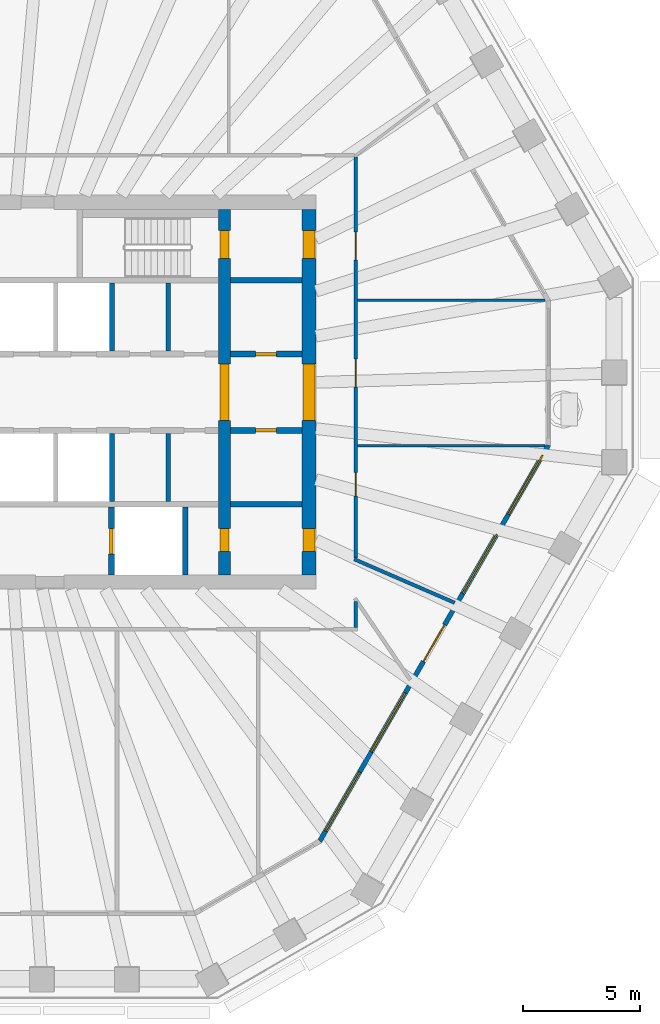
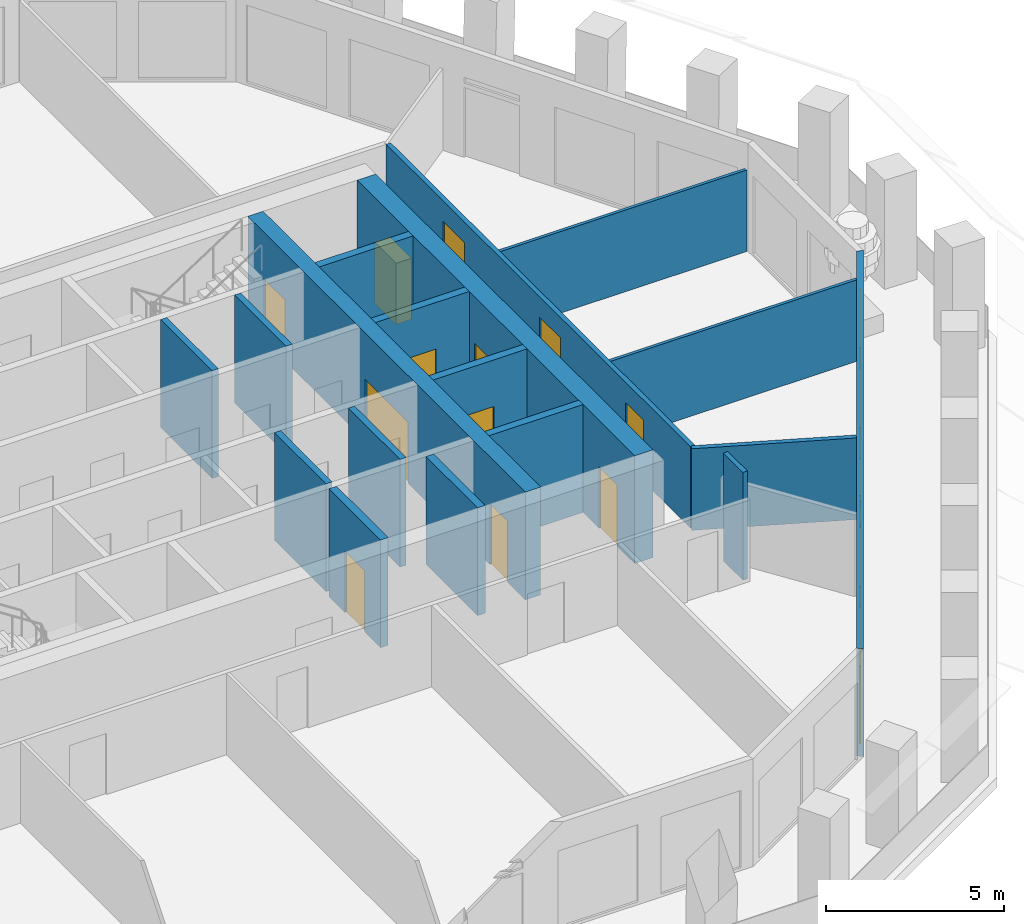
# One storey, part 6 of 12: 18 walls, 13 doors, 5 windows, 18 openings.
"""IFC4 building model written with IfcOpenShell, lengths in metres."""

from ifc_helpers import new_model, si_unit, direction, frame, frame_2d, origin, place, context, subcontext, project, spatial, polyline, rectangle, outline, extrude, material, layer, layer_set, type_object, element, fill, save


model = new_model("IFC4")

# Units and contexts
model_context = context("Model", 3, precision=1e-05, world=origin(), true_north=direction((0.0, 1.0)))
body_context = subcontext(model_context, "Body", "Model", "MODEL_VIEW")
ifc_project = project(units=[si_unit("LENGTHUNIT", "METRE"), si_unit("AREAUNIT", "SQUARE_METRE"), si_unit("VOLUMEUNIT", "CUBIC_METRE"), si_unit("PLANEANGLEUNIT", "RADIAN"), si_unit("MASSUNIT", "GRAM", prefix="KILO")], contexts=[model_context])

# Site, building, storey
site_placement = place(None, origin())
site = spatial("IfcSite", under=ifc_project, at=site_placement, CompositionType="ELEMENT")
building_placement = place(site_placement, origin())
building = spatial("IfcBuilding", under=site, at=building_placement, Name="Frailejon Research Tower", CompositionType="ELEMENT")
storey_placement = place(building_placement, frame((0.0, 0.0, 237.39990234375)))
storey = spatial("IfcBuildingStorey", under=building, at=storey_placement, Name="L51", CompositionType="ELEMENT", Elevation=237.39990234375)

# Wall, openings, doors
ifc_material_1 = material(Name="Concrete C60/75", Category="concrete")
ifc_layer_1 = layer(ifc_material_1, 0.5)
ifc_layer_set_1 = layer_set([ifc_layer_1], Name="Core shear wall 500 C60/75")
wall_type_1 = type_object("IfcWallType", Name="Core shear wall 500 C60/75", PredefinedType="SHEAR", material=ifc_layer_set_1)
wall_1_placement = place(storey_placement, frame((9.60009765625, -7.800048828125, 0.0), z_axis=(0.0, 0.0, 1.0), x_axis=(0.0, 1.0, 0.0)))
wall_1 = element("IfcWall", 1, at=wall_1_placement, inside=storey, type_object=wall_type_1, Name="Core shear wall", PredefinedType="SHEAR", context=body_context, shape_type="SweptSolid", body=[
    extrude(rectangle(XDim=15.60009765625, YDim=0.5, at=frame_2d((7.800048828125, 0.0))), origin(), (0.0, 0.0, 1.0), 3.7001953125),
])
opening_1_placement = place(wall_1_placement, frame((6.60009765625, 0.0, 0.0)))
opening_1 = element("IfcOpeningElement", 2, at=opening_1_placement, cuts=wall_1, Name="Opening D2", PredefinedType="OPENING", context=body_context, shape_type="SweptSolid", body=[
    extrude(rectangle(XDim=2.39990234375, YDim=2.10009765625, at=frame_2d((1.199951171875, 1.050048828125))), frame((0.0, 0.260009765625, 0.0), z_axis=(0.0, -1.0, 0.0), x_axis=(1.0, 0.0, 0.0)), (0.0, 0.0, 1.0), 0.52001953125),
])
opening_2_placement = place(wall_1_placement, frame((13.5, 0.0, 0.0)))
opening_2 = element("IfcOpeningElement", 3, at=opening_2_placement, cuts=wall_1, Name="Opening D1", PredefinedType="OPENING", context=body_context, shape_type="SweptSolid", body=[
    extrude(rectangle(XDim=1.199951171875, YDim=2.10009765625, at=frame_2d((0.60009765625, 1.050048828125))), frame((0.0, 0.260009765625, 0.0), z_axis=(0.0, -1.0, 0.0), x_axis=(1.0, 0.0, 0.0)), (0.0, 0.0, 1.0), 0.52001953125),
])
opening_3_placement = place(wall_1_placement, frame((1.0, 0.0, 0.0)))
opening_3 = element("IfcOpeningElement", 4, at=opening_3_placement, cuts=wall_1, Name="Opening D4", PredefinedType="OPENING", context=body_context, shape_type="SweptSolid", body=[
    extrude(rectangle(XDim=1.0, YDim=2.10009765625, at=frame_2d((0.5, 1.050048828125))), frame((0.0, 0.260009765625, 0.0), z_axis=(0.0, -1.0, 0.0), x_axis=(1.0, 0.0, 0.0)), (0.0, 0.0, 1.0), 0.52001953125),
])
ifc_material_2 = material(Name="Steel", Category="steel")
door_type_1 = type_object("IfcDoorType", Name="Lobby double door", OperationType="DOUBLE_DOOR_SINGLE_SWING", PredefinedType="DOOR", material=ifc_material_2)
door_1_placement = place(opening_1_placement, origin())
door_1 = element("IfcDoor", 5, at=door_1_placement, inside=storey, type_object=door_type_1, Name="Lobby door", OperationType="DOUBLE_DOOR_SINGLE_SWING", OverallHeight=2.10009765625, OverallWidth=2.39990234375, PredefinedType="DOOR", context=body_context, shape_type="SweptSolid", body=[
    extrude(rectangle(XDim=2.39990234375, YDim=2.10009765625, at=frame_2d((1.199951171875, 1.050048828125))), frame((0.0, 0.199951171875, 0.0), z_axis=(0.0, -1.0, 0.0), x_axis=(1.0, 0.0, 0.0)), (0.0, 0.0, 1.0), 0.39990234375),
])
fill(opening_1, door_1)
ifc_material_3 = material(Name="Steel", Category="steel")
door_type_2 = type_object("IfcDoorType", Name="Service door", OperationType="SINGLE_SWING_LEFT", PredefinedType="DOOR", material=ifc_material_3)
door_2_placement = place(opening_3_placement, origin())
door_2 = element("IfcDoor", 6, at=door_2_placement, inside=storey, type_object=door_type_2, Name="Riser door", OperationType="SINGLE_SWING_RIGHT", OverallHeight=2.10009765625, OverallWidth=1.0, PredefinedType="DOOR", context=body_context, shape_type="SweptSolid", body=[
    extrude(rectangle(XDim=1.0, YDim=2.10009765625, at=frame_2d((0.5, 1.050048828125))), frame((0.0, 0.199951171875, 0.0), z_axis=(0.0, -1.0, 0.0), x_axis=(1.0, 0.0, 0.0)), (0.0, 0.0, 1.0), 0.39990234375),
])
fill(opening_3, door_2)
ifc_material_4 = material(Name="Steel", Category="steel")
door_type_3 = type_object("IfcDoorType", Name="Stair door", OperationType="SINGLE_SWING_LEFT", PredefinedType="DOOR", material=ifc_material_4)
door_3_placement = place(opening_2_placement, origin())
door_3 = element("IfcDoor", 7, at=door_3_placement, inside=storey, type_object=door_type_3, Name="Stair door ST3", OperationType="SINGLE_SWING_RIGHT", OverallHeight=2.10009765625, OverallWidth=1.199951171875, PredefinedType="DOOR", context=body_context, shape_type="SweptSolid", body=[
    extrude(rectangle(XDim=1.199951171875, YDim=2.10009765625, at=frame_2d((0.60009765625, 1.050048828125))), frame((0.0, 0.199951171875, 0.0), z_axis=(0.0, -1.0, 0.0), x_axis=(1.0, 0.0, 0.0)), (0.0, 0.0, 1.0), 0.39990234375),
])
fill(opening_2, door_3)

ifc_material_5 = material(Name="Concrete C60/75", Category="concrete")
ifc_layer_2 = layer(ifc_material_5, 0.60009765625)
ifc_layer_set_2 = layer_set([ifc_layer_2], Name="Core shear wall 600 C60/75")
wall_type_2 = type_object("IfcWallType", Name="Core shear wall 600 C60/75", PredefinedType="SHEAR", material=ifc_layer_set_2)
wall_2_placement = place(storey_placement, frame((13.199951171875, -7.800048828125, 0.0), z_axis=(0.0, 0.0, 1.0), x_axis=(0.0, 1.0, 0.0)))
wall_2 = element("IfcWall", 8, at=wall_2_placement, inside=storey, type_object=wall_type_2, Name="Core shear wall", PredefinedType="SHEAR", context=body_context, shape_type="SweptSolid", body=[
    extrude(rectangle(XDim=15.60009765625, YDim=0.60009765625, at=frame_2d((7.800048828125, 0.0))), origin(), (0.0, 0.0, 1.0), 3.7001953125),
])
opening_4_placement = place(wall_2_placement, frame((6.60009765625, 0.0, 0.0)))
opening_4 = element("IfcOpeningElement", 9, at=opening_4_placement, cuts=wall_2, Name="Opening D2", PredefinedType="OPENING", context=body_context, shape_type="SweptSolid", body=[
    extrude(rectangle(XDim=2.39990234375, YDim=2.10009765625, at=frame_2d((1.199951171875, 1.050048828125))), frame((0.0, 0.31005859375, 0.0), z_axis=(0.0, -1.0, 0.0), x_axis=(1.0, 0.0, 0.0)), (0.0, 0.0, 1.0), 0.6201171875),
])
opening_5_placement = place(wall_2_placement, frame((13.5, 0.0, 0.0)))
opening_5 = element("IfcOpeningElement", 10, at=opening_5_placement, cuts=wall_2, Name="Opening D7", PredefinedType="OPENING", context=body_context, shape_type="SweptSolid", body=[
    extrude(rectangle(XDim=1.199951171875, YDim=2.10009765625, at=frame_2d((0.60009765625, 1.050048828125))), frame((0.0, 0.31005859375, 0.0), z_axis=(0.0, -1.0, 0.0), x_axis=(1.0, 0.0, 0.0)), (0.0, 0.0, 1.0), 0.6201171875),
])
opening_6_placement = place(wall_2_placement, frame((1.0, 0.0, 0.0)))
opening_6 = element("IfcOpeningElement", 11, at=opening_6_placement, cuts=wall_2, Name="Opening D4", PredefinedType="OPENING", context=body_context, shape_type="SweptSolid", body=[
    extrude(rectangle(XDim=1.0, YDim=2.10009765625, at=frame_2d((0.5, 1.050048828125))), frame((0.0, 0.31005859375, 0.0), z_axis=(0.0, -1.0, 0.0), x_axis=(1.0, 0.0, 0.0)), (0.0, 0.0, 1.0), 0.6201171875),
])
door_4_placement = place(opening_4_placement, origin())
door_4 = element("IfcDoor", 12, at=door_4_placement, inside=storey, type_object=door_type_1, Name="Lobby door", OperationType="DOUBLE_DOOR_SINGLE_SWING", OverallHeight=2.10009765625, OverallWidth=2.39990234375, PredefinedType="DOOR", context=body_context, shape_type="SweptSolid", body=[
    extrude(rectangle(XDim=2.39990234375, YDim=2.10009765625, at=frame_2d((1.199951171875, 1.050048828125))), frame((0.0, 0.25, 0.0), z_axis=(0.0, -1.0, 0.0), x_axis=(1.0, 0.0, 0.0)), (0.0, 0.0, 1.0), 0.5),
])
fill(opening_4, door_4)
door_5_placement = place(opening_6_placement, origin())
door_5 = element("IfcDoor", 13, at=door_5_placement, inside=storey, type_object=door_type_2, Name="Store door", OperationType="SINGLE_SWING_LEFT", OverallHeight=2.10009765625, OverallWidth=1.0, PredefinedType="DOOR", context=body_context, shape_type="SweptSolid", body=[
    extrude(rectangle(XDim=1.0, YDim=2.10009765625, at=frame_2d((0.5, 1.050048828125))), frame((0.0, 0.25, 0.0), z_axis=(0.0, -1.0, 0.0), x_axis=(1.0, 0.0, 0.0)), (0.0, 0.0, 1.0), 0.5),
])
fill(opening_6, door_5)
ifc_material_6 = material(Name="Steel", Category="steel")
door_type_4 = type_object("IfcDoorType", Name="Stair exit door", OperationType="SINGLE_SWING_LEFT", PredefinedType="DOOR", material=ifc_material_6)
door_6_placement = place(opening_5_placement, origin())
door_6 = element("IfcDoor", 14, at=door_6_placement, inside=storey, type_object=door_type_4, Name="Stair exit door ST3", OperationType="SINGLE_SWING_LEFT", OverallHeight=2.10009765625, OverallWidth=1.199951171875, PredefinedType="DOOR", context=body_context, shape_type="SweptSolid", body=[
    extrude(rectangle(XDim=1.199951171875, YDim=2.10009765625, at=frame_2d((0.60009765625, 1.050048828125))), frame((0.0, 0.25, 0.0), z_axis=(0.0, -1.0, 0.0), x_axis=(1.0, 0.0, 0.0)), (0.0, 0.0, 1.0), 0.5),
])
fill(opening_5, door_6)

# Wall
ifc_material_7 = material(Name="Gypsum board and masonry partition", Category="masonry")
ifc_layer_3 = layer(ifc_material_7, 0.14990234375)
ifc_layer_set_3 = layer_set([ifc_layer_3], Name="Corridor wall EI 60, gypsum on steel studs 150")
wall_type_3 = type_object("IfcWallType", Name="Corridor wall EI 60, gypsum on steel studs 150", PredefinedType="PARTITIONING", material=ifc_layer_set_3)
wall_3_placement = place(storey_placement, frame((15.199951171875, -10.02490234375, 0.0), z_axis=(0.0, 0.0, 1.0), x_axis=(0.0, 1.0, 0.0)))
element("IfcWall", 15, at=wall_3_placement, inside=storey, type_object=wall_type_3, Name="T:IW:L51:003", PredefinedType="PARTITIONING", context=body_context, shape_type="SweptSolid", body=[
    extrude(rectangle(XDim=1.099853515625, YDim=0.14990234375, at=frame_2d((0.5498046875, 0.0))), origin(), (0.0, 0.0, 1.0), 3.7001953125),
])

# Wall, openings, doors
wall_4_placement = place(storey_placement, frame((15.199951171875, -7.074951171875, 0.0), z_axis=(0.0, 0.0, 1.0), x_axis=(0.0, 1.0, 0.0)))
wall_4 = element("IfcWall", 16, at=wall_4_placement, inside=storey, type_object=wall_type_3, Name="T:IW:L51:004", PredefinedType="PARTITIONING", context=body_context, shape_type="SweptSolid", body=[
    extrude(rectangle(XDim=17.099853515625, YDim=0.14990234375, at=frame_2d((8.5498046875, 0.0))), origin(), (0.0, 0.0, 1.0), 2.800048828125),
])
opening_7_placement = place(wall_4_placement, frame((7.2919921875, 0.0, 0.0)))
opening_7 = element("IfcOpeningElement", 17, at=opening_7_placement, cuts=wall_4, Name="Opening D2006", PredefinedType="OPENING", context=body_context, shape_type="SweptSolid", body=[
    extrude(rectangle(XDim=1.199951171875, YDim=2.10009765625, at=frame_2d((0.60009765625, 1.050048828125))), frame((0.0, 0.0849609375, 0.0), z_axis=(0.0, -1.0, 0.0), x_axis=(1.0, 0.0, 0.0)), (0.0, 0.0, 1.0), 0.169921875),
])
opening_8_placement = place(wall_4_placement, frame((12.70703125, 0.0, 0.0)))
opening_8 = element("IfcOpeningElement", 18, at=opening_8_placement, cuts=wall_4, Name="Opening D2007", PredefinedType="OPENING", context=body_context, shape_type="SweptSolid", body=[
    extrude(rectangle(XDim=1.199951171875, YDim=2.10009765625, at=frame_2d((0.60009765625, 1.050048828125))), frame((0.0, 0.0849609375, 0.0), z_axis=(0.0, -1.0, 0.0), x_axis=(1.0, 0.0, 0.0)), (0.0, 0.0, 1.0), 0.169921875),
])
opening_9_placement = place(wall_4_placement, frame((2.64794921875, 0.0, 0.0)))
opening_9 = element("IfcOpeningElement", 19, at=opening_9_placement, cuts=wall_4, Name="Opening D2020", PredefinedType="OPENING", context=body_context, shape_type="SweptSolid", body=[
    extrude(rectangle(XDim=1.0, YDim=2.10009765625, at=frame_2d((0.5, 1.050048828125))), frame((0.0, 0.0849609375, 0.0), z_axis=(0.0, -1.0, 0.0), x_axis=(1.0, 0.0, 0.0)), (0.0, 0.0, 1.0), 0.169921875),
])
ifc_material_8 = material(Name="Timber door leaf", Category="wood")
door_type_5 = type_object("IfcDoorType", Name="Door single leaf, timber, steel frame 1000", OperationType="NOTDEFINED", PredefinedType="DOOR", material=ifc_material_8)
door_7_placement = place(opening_9_placement, origin())
door_7 = element("IfcDoor", 20, at=door_7_placement, inside=storey, type_object=door_type_5, Name="D2020", OperationType="SINGLE_SWING_RIGHT", OverallHeight=2.10009765625, OverallWidth=1.0, PredefinedType="DOOR", context=body_context, shape_type="SweptSolid", body=[
    extrude(rectangle(XDim=1.0, YDim=2.10009765625, at=frame_2d((0.5, 1.050048828125))), frame((0.0, 0.02490234375, 0.0), z_axis=(0.0, -1.0, 0.0), x_axis=(1.0, 0.0, 0.0)), (0.0, 0.0, 1.0), 0.050048828125),
])
fill(opening_9, door_7)
ifc_material_9 = material(Name="Timber door leaf", Category="wood")
door_type_6 = type_object("IfcDoorType", Name="Door single leaf, timber, steel frame 1200", OperationType="NOTDEFINED", PredefinedType="DOOR", material=ifc_material_9)
door_8_placement = place(opening_7_placement, origin())
door_8 = element("IfcDoor", 21, at=door_8_placement, inside=storey, type_object=door_type_6, Name="D2006", OperationType="DOUBLE_DOOR_SINGLE_SWING", OverallHeight=2.10009765625, OverallWidth=1.199951171875, PredefinedType="DOOR", context=body_context, shape_type="SweptSolid", body=[
    extrude(rectangle(XDim=1.199951171875, YDim=2.10009765625, at=frame_2d((0.60009765625, 1.050048828125))), frame((0.0, 0.02490234375, 0.0), z_axis=(0.0, -1.0, 0.0), x_axis=(1.0, 0.0, 0.0)), (0.0, 0.0, 1.0), 0.050048828125),
])
fill(opening_7, door_8)
door_9_placement = place(opening_8_placement, origin())
door_9 = element("IfcDoor", 22, at=door_9_placement, inside=storey, type_object=door_type_6, Name="D2007", OperationType="DOUBLE_DOOR_SINGLE_SWING", OverallHeight=2.10009765625, OverallWidth=1.199951171875, PredefinedType="DOOR", context=body_context, shape_type="SweptSolid", body=[
    extrude(rectangle(XDim=1.199951171875, YDim=2.10009765625, at=frame_2d((0.60009765625, 1.050048828125))), frame((0.0, 0.02490234375, 0.0), z_axis=(0.0, -1.0, 0.0), x_axis=(1.0, 0.0, 0.0)), (0.0, 0.0, 1.0), 0.050048828125),
])
fill(opening_8, door_9)

# Walls
wall_5_placement = place(storey_placement, frame((15.131103515625, -7.1201171875, 0.0), z_axis=(0.0, 0.0, 1.0), x_axis=(0.917412410679, -0.397937769924, 0.0)))
element("IfcWall", 23, at=wall_5_placement, inside=storey, type_object=wall_type_3, Name="T:IW:L51:010", PredefinedType="PARTITIONING", context=body_context, shape_type="SweptSolid", body=[
    extrude(rectangle(XDim=4.66650390625, YDim=0.14990234375, at=frame_2d((2.333251953125, 0.0))), origin(), (0.0, 0.0, 1.0), 2.800048828125),
])
ifc_material_10 = material(Name="Gypsum board and masonry partition", Category="masonry")
ifc_layer_4 = layer(ifc_material_10, 0.10009765625)
ifc_layer_set_4 = layer_set([ifc_layer_4], Name="Partition, gypsum on steel studs 100")
wall_type_4 = type_object("IfcWallType", Name="Partition, gypsum on steel studs 100", PredefinedType="PARTITIONING", material=ifc_layer_set_4)
for number, where, z_axis, x_axis, name in (
    (24, (15.27490234375, 3.92041015625, 0.0), (0.0, 0.0, 1.0), (1.0, 0.0, 0.0), "T:IW:L51:014"),
    (25, (15.27490234375, -2.2861328125, 0.0), (0.0, 0.0, 1.0), (1.0, 0.0, 0.0), "T:IW:L51:015"),
):
    element("IfcWall", number, at=place(storey_placement, frame(where, z_axis=z_axis, x_axis=x_axis)), inside=storey, type_object=wall_type_4, Name=name, PredefinedType="PARTITIONING", context=body_context, shape_type="SweptSolid", body=[
        extrude(rectangle(XDim=8.000244140625, YDim=0.10009765625, at=frame_2d((4.0, 0.0))), origin(), (0.0, 0.0, 1.0), 2.800048828125),
    ])
ifc_material_11 = material(Name="Concrete C60/75", Category="concrete")
ifc_layer_5 = layer(ifc_material_11, 0.199951171875)
ifc_layer_set_5 = layer_set([ifc_layer_5], Name="Shaft wall 200 C60/75")
wall_type_5 = type_object("IfcWallType", Name="Shaft wall 200 C60/75", PredefinedType="SOLIDWALL", material=ifc_layer_set_5)
for number, where, z_axis, x_axis, name in (
    (26, (4.800048828125, 1.75, 0.0), (0.0, 0.0, 1.0), (0.0, 1.0, 0.0), "Shaft wall"),
    (27, (7.199951171875, 1.75, 0.0), (0.0, 0.0, 1.0), (0.0, 1.0, 0.0), "Shaft wall"),
    (28, (4.800048828125, -4.64990234375, 0.0), (0.0, 0.0, 1.0), (0.0, 1.0, 0.0), "Shaft wall"),
    (29, (7.199951171875, -4.64990234375, 0.0), (0.0, 0.0, 1.0), (0.0, 1.0, 0.0), "Shaft wall"),
):
    element("IfcWall", number, at=place(storey_placement, frame(where, z_axis=z_axis, x_axis=x_axis)), inside=storey, type_object=wall_type_5, Name=name, PredefinedType="SOLIDWALL", context=body_context, shape_type="SweptSolid", body=[
        extrude(rectangle(XDim=2.89990234375, YDim=0.199951171875, at=frame_2d((1.449951171875, 0.0))), origin(), (0.0, 0.0, 1.0), 3.7001953125),
    ])

# Wall, opening, door
ifc_material_12 = material(Name="Concrete C60/75", Category="concrete")
ifc_layer_6 = layer(ifc_material_12, 0.25)
ifc_layer_set_6 = layer_set([ifc_layer_6], Name="Shaft wall 250 C60/75")
wall_type_6 = type_object("IfcWallType", Name="Shaft wall 250 C60/75", PredefinedType="SOLIDWALL", material=ifc_layer_set_6)
wall_6_placement = place(storey_placement, frame((9.85009765625, 1.625, 0.0), z_axis=(0.0, 0.0, 1.0), x_axis=(1.0, 0.0, 0.0)))
wall_6 = element("IfcWall", 30, at=wall_6_placement, inside=storey, type_object=wall_type_6, Name="Shaft wall", PredefinedType="SOLIDWALL", context=body_context, shape_type="SweptSolid", body=[
    extrude(rectangle(XDim=3.0498046875, YDim=0.25, at=frame_2d((1.52490234375, 0.0))), origin(), (0.0, 0.0, 1.0), 3.7001953125),
])
opening_10_placement = place(wall_6_placement, frame((1.074951171875, 0.0, 0.0)))
opening_10 = element("IfcOpeningElement", 31, at=opening_10_placement, cuts=wall_6, Name="Opening D8", PredefinedType="OPENING", context=body_context, shape_type="SweptSolid", body=[
    extrude(rectangle(XDim=0.89990234375, YDim=2.10009765625, at=frame_2d((0.449951171875, 1.050048828125))), frame((0.0, 0.135009765625, 0.0), z_axis=(0.0, -1.0, 0.0), x_axis=(1.0, 0.0, 0.0)), (0.0, 0.0, 1.0), 0.27001953125),
])
ifc_material_13 = material(Name="Steel", Category="steel")
door_type_7 = type_object("IfcDoorType", Name="Core room door", OperationType="SINGLE_SWING_LEFT", PredefinedType="DOOR", material=ifc_material_13)
door_10_placement = place(opening_10_placement, origin())
door_10 = element("IfcDoor", 32, at=door_10_placement, inside=storey, type_object=door_type_7, Name="Room door", OperationType="SINGLE_SWING_RIGHT", OverallHeight=2.10009765625, OverallWidth=0.89990234375, PredefinedType="DOOR", context=body_context, shape_type="SweptSolid", body=[
    extrude(rectangle(XDim=0.89990234375, YDim=2.10009765625, at=frame_2d((0.449951171875, 1.050048828125))), frame((0.0, 0.074951171875, 0.0), z_axis=(0.0, -1.0, 0.0), x_axis=(1.0, 0.0, 0.0)), (0.0, 0.0, 1.0), 0.14990234375),
])
fill(opening_10, door_10)

# Wall
wall_7_placement = place(storey_placement, frame((9.85009765625, 4.77490234375, 0.0), z_axis=(0.0, 0.0, 1.0), x_axis=(1.0, 0.0, 0.0)))
element("IfcWall", 33, at=wall_7_placement, inside=storey, type_object=wall_type_6, Name="Shaft wall", PredefinedType="SOLIDWALL", context=body_context, shape_type="SweptSolid", body=[
    extrude(rectangle(XDim=3.0498046875, YDim=0.25, at=frame_2d((1.52490234375, 0.0))), origin(), (0.0, 0.0, 1.0), 3.7001953125),
])

# Wall, opening, door
wall_8_placement = place(storey_placement, frame((9.85009765625, -1.625, 0.0), z_axis=(0.0, 0.0, 1.0), x_axis=(1.0, 0.0, 0.0)))
wall_8 = element("IfcWall", 34, at=wall_8_placement, inside=storey, type_object=wall_type_6, Name="Shaft wall", PredefinedType="SOLIDWALL", context=body_context, shape_type="SweptSolid", body=[
    extrude(rectangle(XDim=3.0498046875, YDim=0.25, at=frame_2d((1.52490234375, 0.0))), origin(), (0.0, 0.0, 1.0), 3.7001953125),
])
opening_11_placement = place(wall_8_placement, frame((1.074951171875, 0.0, 0.0)))
opening_11 = element("IfcOpeningElement", 35, at=opening_11_placement, cuts=wall_8, Name="Opening D8", PredefinedType="OPENING", context=body_context, shape_type="SweptSolid", body=[
    extrude(rectangle(XDim=0.89990234375, YDim=2.10009765625, at=frame_2d((0.449951171875, 1.050048828125))), frame((0.0, 0.135009765625, 0.0), z_axis=(0.0, -1.0, 0.0), x_axis=(1.0, 0.0, 0.0)), (0.0, 0.0, 1.0), 0.27001953125),
])
door_11_placement = place(opening_11_placement, origin())
door_11 = element("IfcDoor", 36, at=door_11_placement, inside=storey, type_object=door_type_7, Name="Room door", OperationType="SINGLE_SWING_LEFT", OverallHeight=2.10009765625, OverallWidth=0.89990234375, PredefinedType="DOOR", context=body_context, shape_type="SweptSolid", body=[
    extrude(rectangle(XDim=0.89990234375, YDim=2.10009765625, at=frame_2d((0.449951171875, 1.050048828125))), frame((0.0, 0.074951171875, 0.0), z_axis=(0.0, -1.0, 0.0), x_axis=(1.0, 0.0, 0.0)), (0.0, 0.0, 1.0), 0.14990234375),
])
fill(opening_11, door_11)

# Wall
wall_9_placement = place(storey_placement, frame((9.85009765625, -4.77490234375, 0.0), z_axis=(0.0, 0.0, 1.0), x_axis=(1.0, 0.0, 0.0)))
element("IfcWall", 37, at=wall_9_placement, inside=storey, type_object=wall_type_6, Name="Shaft wall", PredefinedType="SOLIDWALL", context=body_context, shape_type="SweptSolid", body=[
    extrude(rectangle(XDim=3.0498046875, YDim=0.25, at=frame_2d((1.52490234375, 0.0))), origin(), (0.0, 0.0, 1.0), 3.7001953125),
])

# Wall, opening, door
wall_10_placement = place(storey_placement, frame((4.77490234375, -7.800048828125, 0.0), z_axis=(0.0, 0.0, 1.0), x_axis=(0.0, 1.0, 0.0)))
wall_10 = element("IfcWall", 38, at=wall_10_placement, inside=storey, type_object=wall_type_6, Name="Shaft wall", PredefinedType="SOLIDWALL", context=body_context, shape_type="SweptSolid", body=[
    extrude(rectangle(XDim=2.900146484375, YDim=0.25, at=frame_2d((1.4501953125, 0.0))), origin(), (0.0, 0.0, 1.0), 3.7001953125),
])
opening_12_placement = place(wall_10_placement, frame((0.89990234375, 0.0, 0.0)))
opening_12 = element("IfcOpeningElement", 39, at=opening_12_placement, cuts=wall_10, Name="Opening LD", PredefinedType="OPENING", context=body_context, shape_type="SweptSolid", body=[
    extrude(rectangle(XDim=1.10009765625, YDim=2.10009765625, at=frame_2d((0.550048828125, 1.050048828125))), frame((0.0, 0.135009765625, 0.0), z_axis=(0.0, -1.0, 0.0), x_axis=(1.0, 0.0, 0.0)), (0.0, 0.0, 1.0), 0.27001953125),
])
ifc_material_14 = material(Name="Steel", Category="steel")
door_type_8 = type_object("IfcDoorType", Name="Lift landing door", OperationType="DOUBLE_DOOR_SLIDING", PredefinedType="DOOR", material=ifc_material_14)
door_12_placement = place(opening_12_placement, origin())
door_12 = element("IfcDoor", 40, at=door_12_placement, inside=storey, type_object=door_type_8, Name="Lift landing door", OperationType="DOUBLE_DOOR_SLIDING", OverallHeight=2.10009765625, OverallWidth=1.10009765625, PredefinedType="DOOR", context=body_context, shape_type="SweptSolid", body=[
    extrude(rectangle(XDim=1.10009765625, YDim=2.10009765625, at=frame_2d((0.550048828125, 1.050048828125))), frame((0.0, 0.074951171875, 0.0), z_axis=(0.0, -1.0, 0.0), x_axis=(1.0, 0.0, 0.0)), (0.0, 0.0, 1.0), 0.14990234375),
])
fill(opening_12, door_12)

# Wall
wall_11_placement = place(storey_placement, frame((7.925048828125, -7.800048828125, 0.0), z_axis=(0.0, 0.0, 1.0), x_axis=(0.0, 1.0, 0.0)))
element("IfcWall", 41, at=wall_11_placement, inside=storey, type_object=wall_type_6, Name="Shaft wall", PredefinedType="SOLIDWALL", context=body_context, shape_type="SweptSolid", body=[
    extrude(rectangle(XDim=2.900146484375, YDim=0.25, at=frame_2d((1.4501953125, 0.0))), origin(), (0.0, 0.0, 1.0), 3.7001953125),
])

# Wall, openings, door, windows
ifc_material_15 = material(Name="Concrete C40/50 precast window wall panel", Category="concrete")
ifc_layer_7 = layer(ifc_material_15, 0.199951171875)
ifc_layer_set_7 = layer_set([ifc_layer_7], Name="Window wall 200")
wall_type_7 = type_object("IfcWallType", Name="Window wall 200", PredefinedType="SOLIDWALL", material=ifc_layer_set_7)
wall_12_placement = place(storey_placement, frame((13.65966796875, -19.140625, 0.0), z_axis=(0.0, 0.0, 1.0), x_axis=(0.500001086243, 0.866024776641, 0.0)))
wall_12 = element("IfcWall", 42, at=wall_12_placement, inside=storey, type_object=wall_type_7, Name="Exterior wall L51", PredefinedType="SOLIDWALL", context=body_context, shape_type="SweptSolid", body=[
    extrude(outline(polyline([(-0.02685546875, -0.10009765625), (1.001953125, -0.10009765625), (2.03076171875, -0.10009765625), (3.059326171875, -0.10009765625), (4.088134765625, -0.10009765625), (5.116943359375, -0.10009765625), (6.145751953125, -0.10009765625), (7.174560546875, -0.10009765625), (8.203125, -0.10009765625), (9.23193359375, -0.10009765625), (10.2607421875, -0.10009765625), (11.28955078125, -0.10009765625), (12.318115234375, -0.10009765625), (13.346923828125, -0.10009765625), (14.375732421875, -0.10009765625), (15.404541015625, -0.10009765625), (16.433349609375, -0.10009765625), (17.4619140625, -0.10009765625), (18.49072265625, -0.10009765625), (19.51953125, -0.10009765625), (19.4658203125, 0.10009765625), (18.442626953125, 0.10009765625), (17.419677734375, 0.10009765625), (16.396484375, 0.10009765625), (15.373291015625, 0.10009765625), (14.350341796875, 0.10009765625), (13.3271484375, 0.10009765625), (12.30419921875, 0.10009765625), (11.281005859375, 0.10009765625), (10.2578125, 0.10009765625), (9.23486328125, 0.10009765625), (8.211669921875, 0.10009765625), (7.1884765625, 0.10009765625), (6.16552734375, 0.10009765625), (5.142333984375, 0.10009765625), (4.119384765625, 0.10009765625), (3.09619140625, 0.10009765625), (2.072998046875, 0.10009765625), (1.050048828125, 0.10009765625), (0.02685546875, 0.10009765625), (-0.02685546875, -0.10009765625)])), origin(), (0.0, 0.0, 1.0), 3.7001953125),
])
opening_13_placement = place(wall_12_placement, frame((0.499267578125, 0.0, 0.10009765625)))
opening_13 = element("IfcOpeningElement", 43, at=opening_13_placement, cuts=wall_12, Name="Opening W20", PredefinedType="OPENING", context=body_context, shape_type="SweptSolid", body=[
    extrude(rectangle(XDim=2.89990234375, YDim=2.64990234375, at=frame_2d((1.449951171875, 1.324951171875))), frame((0.0, 0.10986328125, 0.0), z_axis=(0.0, -1.0, 0.0), x_axis=(1.0, 0.0, 0.0)), (0.0, 0.0, 1.0), 0.219970703125),
])
opening_14_placement = place(wall_12_placement, frame((4.397705078125, 0.0, 0.10009765625)))
opening_14 = element("IfcOpeningElement", 44, at=opening_14_placement, cuts=wall_12, Name="Opening W20", PredefinedType="OPENING", context=body_context, shape_type="SweptSolid", body=[
    extrude(rectangle(XDim=2.89990234375, YDim=2.64990234375, at=frame_2d((1.449951171875, 1.324951171875))), frame((0.0, 0.10986328125, 0.0), z_axis=(0.0, -1.0, 0.0), x_axis=(1.0, 0.0, 0.0)), (0.0, 0.0, 1.0), 0.219970703125),
])
opening_15_placement = place(wall_12_placement, frame((8.846435546875, 0.0, 0.0)))
opening_15 = element("IfcOpeningElement", 45, at=opening_15_placement, cuts=wall_12, Name="Opening LG51-6", PredefinedType="OPENING", context=body_context, shape_type="SweptSolid", body=[
    extrude(rectangle(XDim=1.800048828125, YDim=2.39990234375, at=frame_2d((0.89990234375, 1.199951171875))), frame((0.0, 0.10986328125, 0.0), z_axis=(0.0, -1.0, 0.0), x_axis=(1.0, 0.0, 0.0)), (0.0, 0.0, 1.0), 0.219970703125),
])
opening_16_placement = place(wall_12_placement, frame((8.846435546875, 0.0, 2.550048828125)))
opening_16 = element("IfcOpeningElement", 46, at=opening_16_placement, cuts=wall_12, Name="Opening W19", PredefinedType="OPENING", context=body_context, shape_type="SweptSolid", body=[
    extrude(rectangle(XDim=1.800048828125, YDim=0.199951171875, at=frame_2d((0.89990234375, 0.10009765625))), frame((0.0, 0.10986328125, 0.0), z_axis=(0.0, -1.0, 0.0), x_axis=(1.0, 0.0, 0.0)), (0.0, 0.0, 1.0), 0.219970703125),
])
opening_17_placement = place(wall_12_placement, frame((12.19482421875, 0.0, 0.10009765625)))
opening_17 = element("IfcOpeningElement", 47, at=opening_17_placement, cuts=wall_12, Name="Opening W20", PredefinedType="OPENING", context=body_context, shape_type="SweptSolid", body=[
    extrude(rectangle(XDim=2.89990234375, YDim=2.64990234375, at=frame_2d((1.449951171875, 1.324951171875))), frame((0.0, 0.10986328125, 0.0), z_axis=(0.0, -1.0, 0.0), x_axis=(1.0, 0.0, 0.0)), (0.0, 0.0, 1.0), 0.219970703125),
])
opening_18_placement = place(wall_12_placement, frame((16.093505859375, 0.0, 0.10009765625)))
opening_18 = element("IfcOpeningElement", 48, at=opening_18_placement, cuts=wall_12, Name="Opening W20", PredefinedType="OPENING", context=body_context, shape_type="SweptSolid", body=[
    extrude(rectangle(XDim=2.89990234375, YDim=2.64990234375, at=frame_2d((1.449951171875, 1.324951171875))), frame((0.0, 0.10986328125, 0.0), z_axis=(0.0, -1.0, 0.0), x_axis=(1.0, 0.0, 0.0)), (0.0, 0.0, 1.0), 0.219970703125),
])
ifc_material_16 = material(Name="Aluminium framed glazed door leaf", Category="aluminium")
door_type_9 = type_object("IfcDoorType", Name="Loggia door 1800x2400", OperationType="DOUBLE_DOOR_SINGLE_SWING", PredefinedType="DOOR", material=ifc_material_16)
door_13_placement = place(opening_15_placement, origin())
door_13 = element("IfcDoor", 49, at=door_13_placement, inside=storey, type_object=door_type_9, Name="Door LG51-6", OperationType="DOUBLE_DOOR_SINGLE_SWING", OverallHeight=2.39990234375, OverallWidth=1.800048828125, PredefinedType="DOOR", context=body_context, shape_type="SweptSolid", body=[
    extrude(rectangle(XDim=1.800048828125, YDim=2.39990234375, at=frame_2d((0.89990234375, 1.199951171875))), frame((0.0, 0.02490234375, 0.0), z_axis=(0.0, -1.0, 0.0), x_axis=(1.0, 0.0, 0.0)), (0.0, 0.0, 1.0), 0.050048828125),
])
fill(opening_15, door_13)
ifc_material_17 = material(Name="Aluminium framed double glazing", Category="aluminium")
window_type_1 = type_object("IfcWindowType", Name="Window 1800x200", PartitioningType="SINGLE_PANEL", PredefinedType="WINDOW", material=ifc_material_17)
window_1_placement = place(opening_16_placement, origin())
window_1 = element("IfcWindow", 50, at=window_1_placement, inside=storey, type_object=window_type_1, Name="Window L51", OverallHeight=0.199951171875, OverallWidth=1.800048828125, PartitioningType="SINGLE_PANEL", PredefinedType="WINDOW", context=body_context, shape_type="SweptSolid", body=[
    extrude(rectangle(XDim=1.800048828125, YDim=0.199951171875, at=frame_2d((0.89990234375, 0.10009765625))), frame((0.0, 0.030029296875, 0.0), z_axis=(0.0, -1.0, 0.0), x_axis=(1.0, 0.0, 0.0)), (0.0, 0.0, 1.0), 0.06005859375),
])
fill(opening_16, window_1)
ifc_material_18 = material(Name="Aluminium framed double glazing", Category="aluminium")
window_type_2 = type_object("IfcWindowType", Name="Window 2900x2650", PartitioningType="SINGLE_PANEL", PredefinedType="WINDOW", material=ifc_material_18)
window_2_placement = place(opening_13_placement, origin())
window_2 = element("IfcWindow", 51, at=window_2_placement, inside=storey, type_object=window_type_2, Name="Window L51", OverallHeight=2.64990234375, OverallWidth=2.89990234375, PartitioningType="SINGLE_PANEL", PredefinedType="WINDOW", context=body_context, shape_type="SweptSolid", body=[
    extrude(rectangle(XDim=2.89990234375, YDim=2.64990234375, at=frame_2d((1.449951171875, 1.324951171875))), frame((0.0, 0.030029296875, 0.0), z_axis=(0.0, -1.0, 0.0), x_axis=(1.0, 0.0, 0.0)), (0.0, 0.0, 1.0), 0.06005859375),
])
fill(opening_13, window_2)
window_3_placement = place(opening_14_placement, origin())
window_3 = element("IfcWindow", 52, at=window_3_placement, inside=storey, type_object=window_type_2, Name="Window L51", OverallHeight=2.64990234375, OverallWidth=2.89990234375, PartitioningType="SINGLE_PANEL", PredefinedType="WINDOW", context=body_context, shape_type="SweptSolid", body=[
    extrude(rectangle(XDim=2.89990234375, YDim=2.64990234375, at=frame_2d((1.449951171875, 1.324951171875))), frame((0.0, 0.030029296875, 0.0), z_axis=(0.0, -1.0, 0.0), x_axis=(1.0, 0.0, 0.0)), (0.0, 0.0, 1.0), 0.06005859375),
])
fill(opening_14, window_3)
window_4_placement = place(opening_17_placement, origin())
window_4 = element("IfcWindow", 53, at=window_4_placement, inside=storey, type_object=window_type_2, Name="Window L51", OverallHeight=2.64990234375, OverallWidth=2.89990234375, PartitioningType="SINGLE_PANEL", PredefinedType="WINDOW", context=body_context, shape_type="SweptSolid", body=[
    extrude(rectangle(XDim=2.89990234375, YDim=2.64990234375, at=frame_2d((1.449951171875, 1.324951171875))), frame((0.0, 0.030029296875, 0.0), z_axis=(0.0, -1.0, 0.0), x_axis=(1.0, 0.0, 0.0)), (0.0, 0.0, 1.0), 0.06005859375),
])
fill(opening_17, window_4)
window_5_placement = place(opening_18_placement, origin())
window_5 = element("IfcWindow", 54, at=window_5_placement, inside=storey, type_object=window_type_2, Name="Window L51", OverallHeight=2.64990234375, OverallWidth=2.89990234375, PartitioningType="SINGLE_PANEL", PredefinedType="WINDOW", context=body_context, shape_type="SweptSolid", body=[
    extrude(rectangle(XDim=2.89990234375, YDim=2.64990234375, at=frame_2d((1.449951171875, 1.324951171875))), frame((0.0, 0.030029296875, 0.0), z_axis=(0.0, -1.0, 0.0), x_axis=(1.0, 0.0, 0.0)), (0.0, 0.0, 1.0), 0.06005859375),
])
fill(opening_18, window_5)

save(model, "model.ifc")
